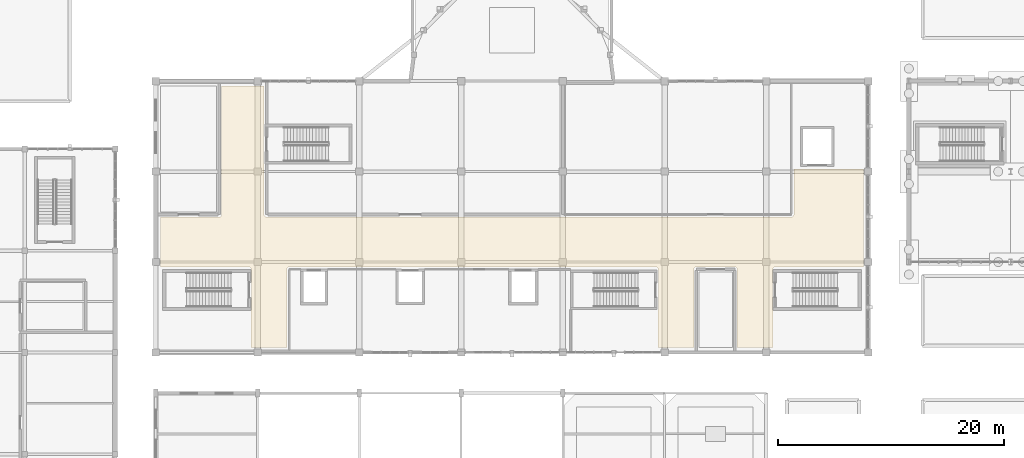
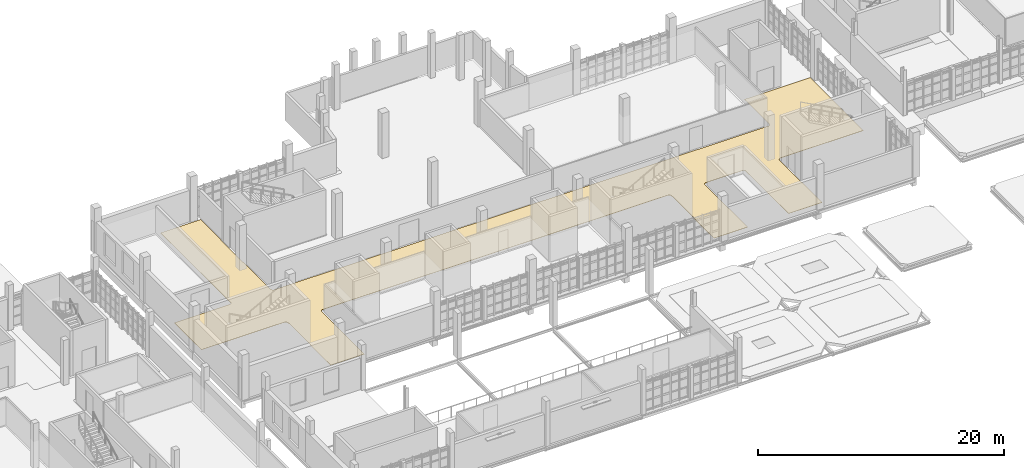
# One storey, part 114 of 125: 1 covering.
"""IFC4 building model written with IfcOpenShell, lengths in metres."""

from ifc_helpers import new_model, si_unit, direction, frame, origin, place, context, subcontext, project, spatial, polyline, outline, extrude, material, layer, layer_set, type_object, element, save


model = new_model("IFC4")

# Units and contexts
model_context = context("Model", 3, precision=1e-05, world=origin(), true_north=direction((0.0, 1.0)))
body_context = subcontext(model_context, "Body", "Model", "MODEL_VIEW")
ifc_project = project(units=[si_unit("LENGTHUNIT", "METRE"), si_unit("AREAUNIT", "SQUARE_METRE"), si_unit("VOLUMEUNIT", "CUBIC_METRE"), si_unit("PLANEANGLEUNIT", "RADIAN"), si_unit("MASSUNIT", "GRAM", prefix="KILO")], contexts=[model_context])

# Site, building, storey
site_placement = place(None, origin())
site = spatial("IfcSite", under=ifc_project, at=site_placement, CompositionType="ELEMENT")
building_placement = place(site_placement, origin())
building = spatial("IfcBuilding", under=site, at=building_placement, Name="Serraforn Aerial Cableway Station", CompositionType="ELEMENT")
storey_placement = place(building_placement, frame((0.0, 0.0, 4.5)))
storey = spatial("IfcBuildingStorey", under=building, at=storey_placement, Name="L01", CompositionType="ELEMENT", Elevation=4.5)

# Covering
ifc_material = material(Name="Honed Montjuic limestone flooring", Category="masonry")
ifc_layer = layer(ifc_material, 0.030029296875)
ifc_layer_set = layer_set([ifc_layer], Name="Honed Montjuic limestone flooring")
covering_type = type_object("IfcCoveringType", Name="COV-FLR-STN", PredefinedType="FLOORING", material=ifc_layer_set)
covering_placement = place(storey_placement, origin())
element("IfcCovering", 1, at=covering_placement, inside=storey, type_object=covering_type, Name="Flooring L01-09", PredefinedType="FLOORING", context=body_context, shape_type="SweptSolid", body=[
    extrude(outline(polyline([(28.02001953125, 25.570068359375), (28.02001953125, 29.97998046875), (33.199951171875, 29.97998046875), (33.2216796875, 29.981201171875), (33.242919921875, 29.984130859375), (33.263916015625, 29.989501953125), (33.2841796875, 29.99658203125), (33.3037109375, 30.006103515625), (33.322265625, 30.01708984375), (33.339599609375, 30.02978515625), (33.355712890625, 30.04443359375), (33.3701171875, 30.060302734375), (33.3828125, 30.077880859375), (33.39404296875, 30.09619140625), (33.4033203125, 30.11572265625), (33.410400390625, 30.135986328125), (33.415771484375, 30.156982421875), (33.4189453125, 30.178466796875), (33.419921875, 30.199951171875), (33.419921875, 41.580078125), (37.179931640625, 41.580078125), (37.179931640625, 38.226318359375), (37.177001953125, 38.22216796875), (37.166015625, 38.20361328125), (37.15673828125, 38.18408203125), (37.1494140625, 38.163818359375), (37.144287109375, 38.142822265625), (37.14111328125, 38.12158203125), (37.139892578125, 38.10009765625), (37.139892578125, 34.760009765625), (37.14111328125, 34.73828125), (37.144287109375, 34.717041015625), (37.1494140625, 34.696044921875), (37.15673828125, 34.67578125), (37.166015625, 34.65625), (37.177001953125, 34.6376953125), (37.179931640625, 34.6337890625), (37.179931640625, 30.199951171875), (37.18115234375, 30.178466796875), (37.18408203125, 30.156982421875), (37.189453125, 30.135986328125), (37.19677734375, 30.11572265625), (37.2060546875, 30.09619140625), (37.217041015625, 30.077880859375), (37.22998046875, 30.060302734375), (37.244384765625, 30.04443359375), (37.260498046875, 30.02978515625), (37.27783203125, 30.01708984375), (37.29638671875, 30.006103515625), (37.31591796875, 29.99658203125), (37.336181640625, 29.989501953125), (37.357177734375, 29.984130859375), (37.37841796875, 29.981201171875), (37.39990234375, 29.97998046875), (83.800048828125, 29.97998046875), (83.821533203125, 29.981201171875), (83.843017578125, 29.984130859375), (83.864013671875, 29.989501953125), (83.88427734375, 29.99658203125), (83.90380859375, 30.006103515625), (83.922119140625, 30.01708984375), (83.939697265625, 30.02978515625), (83.95556640625, 30.04443359375), (83.97021484375, 30.060302734375), (83.98291015625, 30.077880859375), (83.993896484375, 30.09619140625), (84.00341796875, 30.11572265625), (84.010498046875, 30.135986328125), (84.015869140625, 30.156982421875), (84.018798828125, 30.178466796875), (84.02001953125, 30.199951171875), (84.02001953125, 34.22998046875), (90.179931640625, 34.22998046875), (90.179931640625, 25.570068359375), (82.39990234375, 25.570068359375), (82.37841796875, 25.56884765625), (82.357177734375, 25.56591796875), (82.336181640625, 25.560546875), (82.31591796875, 25.55322265625), (82.29638671875, 25.5439453125), (82.27783203125, 25.532958984375), (82.260498046875, 25.52001953125), (82.244384765625, 25.505615234375), (82.22998046875, 25.489501953125), (82.217041015625, 25.47216796875), (82.2060546875, 25.45361328125), (82.19677734375, 25.43408203125), (82.189453125, 25.413818359375), (82.18408203125, 25.392822265625), (82.18115234375, 25.37158203125), (82.179931640625, 25.35009765625), (82.179931640625, 25.326171875), (82.177001953125, 25.322265625), (82.166015625, 25.3037109375), (82.15673828125, 25.2841796875), (82.1494140625, 25.263916015625), (82.144287109375, 25.242919921875), (82.14111328125, 25.2216796875), (82.139892578125, 25.199951171875), (82.139892578125, 21.860107421875), (82.14111328125, 21.83837890625), (82.144287109375, 21.817138671875), (82.1494140625, 21.796142578125), (82.15673828125, 21.77587890625), (82.166015625, 21.75634765625), (82.177001953125, 21.73779296875), (82.179931640625, 21.73388671875), (82.179931640625, 18.419921875), (79.02001953125, 18.419921875), (79.02001953125, 25.35009765625), (79.018798828125, 25.37158203125), (79.015869140625, 25.392822265625), (79.010498046875, 25.413818359375), (79.00341796875, 25.43408203125), (78.993896484375, 25.45361328125), (78.98291015625, 25.47216796875), (78.97021484375, 25.489501953125), (78.95556640625, 25.505615234375), (78.939697265625, 25.52001953125), (78.922119140625, 25.532958984375), (78.90380859375, 25.5439453125), (78.88427734375, 25.55322265625), (78.864013671875, 25.560546875), (78.843017578125, 25.56591796875), (78.821533203125, 25.56884765625), (78.800048828125, 25.570068359375), (75.39990234375, 25.570068359375), (75.37841796875, 25.56884765625), (75.357177734375, 25.56591796875), (75.336181640625, 25.560546875), (75.31591796875, 25.55322265625), (75.29638671875, 25.5439453125), (75.27783203125, 25.532958984375), (75.260498046875, 25.52001953125), (75.244384765625, 25.505615234375), (75.22998046875, 25.489501953125), (75.217041015625, 25.47216796875), (75.2060546875, 25.45361328125), (75.19677734375, 25.43408203125), (75.189453125, 25.413818359375), (75.18408203125, 25.392822265625), (75.18115234375, 25.37158203125), (75.179931640625, 25.35009765625), (75.179931640625, 18.419921875), (72.02001953125, 18.419921875), (72.02001953125, 21.73388671875), (72.02294921875, 21.73779296875), (72.033935546875, 21.75634765625), (72.043212890625, 21.77587890625), (72.050537109375, 21.796142578125), (72.055908203125, 21.817138671875), (72.058837890625, 21.83837890625), (72.06005859375, 21.860107421875), (72.06005859375, 25.199951171875), (72.058837890625, 25.2216796875), (72.055908203125, 25.242919921875), (72.050537109375, 25.263916015625), (72.043212890625, 25.2841796875), (72.033935546875, 25.3037109375), (72.02294921875, 25.322265625), (72.02001953125, 25.326171875), (72.02001953125, 25.35009765625), (72.018798828125, 25.37158203125), (72.015869140625, 25.392822265625), (72.010498046875, 25.413818359375), (72.00341796875, 25.43408203125), (71.993896484375, 25.45361328125), (71.98291015625, 25.47216796875), (71.97021484375, 25.489501953125), (71.95556640625, 25.505615234375), (71.939697265625, 25.52001953125), (71.922119140625, 25.532958984375), (71.90380859375, 25.5439453125), (71.88427734375, 25.55322265625), (71.864013671875, 25.560546875), (71.843017578125, 25.56591796875), (71.821533203125, 25.56884765625), (71.800048828125, 25.570068359375), (39.39990234375, 25.570068359375), (39.37841796875, 25.56884765625), (39.357177734375, 25.56591796875), (39.336181640625, 25.560546875), (39.31591796875, 25.55322265625), (39.29638671875, 25.5439453125), (39.27783203125, 25.532958984375), (39.260498046875, 25.52001953125), (39.244384765625, 25.505615234375), (39.22998046875, 25.489501953125), (39.217041015625, 25.47216796875), (39.2060546875, 25.45361328125), (39.19677734375, 25.43408203125), (39.189453125, 25.413818359375), (39.18408203125, 25.392822265625), (39.18115234375, 25.37158203125), (39.179931640625, 25.35009765625), (39.179931640625, 18.419921875), (36.02001953125, 18.419921875), (36.02001953125, 21.73388671875), (36.02294921875, 21.73779296875), (36.033935546875, 21.75634765625), (36.043212890625, 21.77587890625), (36.050537109375, 21.796142578125), (36.055908203125, 21.817138671875), (36.058837890625, 21.83837890625), (36.06005859375, 21.860107421875), (36.06005859375, 25.199951171875), (36.058837890625, 25.2216796875), (36.055908203125, 25.242919921875), (36.050537109375, 25.263916015625), (36.043212890625, 25.2841796875), (36.033935546875, 25.3037109375), (36.02294921875, 25.322265625), (36.02001953125, 25.326171875), (36.02001953125, 25.35009765625), (36.018798828125, 25.37158203125), (36.015869140625, 25.392822265625), (36.010498046875, 25.413818359375), (36.00341796875, 25.43408203125), (35.993896484375, 25.45361328125), (35.98291015625, 25.47216796875), (35.97021484375, 25.489501953125), (35.95556640625, 25.505615234375), (35.939697265625, 25.52001953125), (35.922119140625, 25.532958984375), (35.90380859375, 25.5439453125), (35.88427734375, 25.55322265625), (35.864013671875, 25.560546875), (35.843017578125, 25.56591796875), (35.821533203125, 25.56884765625), (35.800048828125, 25.570068359375), (28.02001953125, 25.570068359375)])), origin(), (0.0, 0.0, 1.0), 0.030029296875),
])

save(model, "model.ifc")
